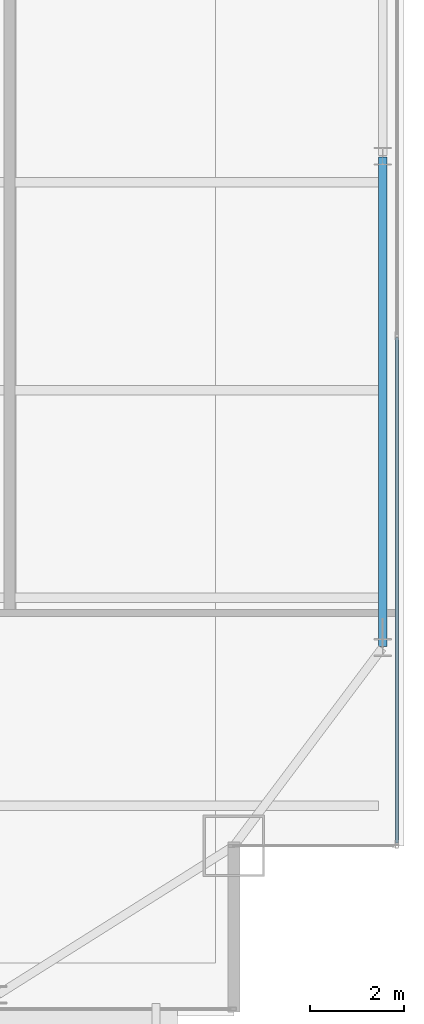
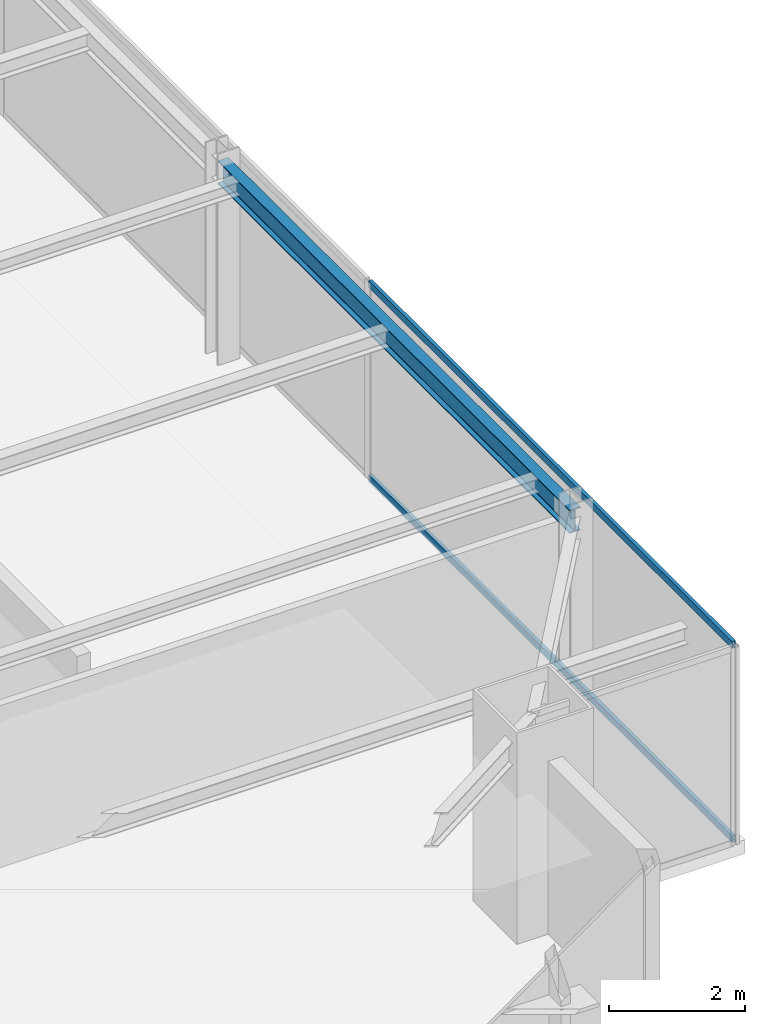
# One storey, part 16 of 29: 2 members, 1 beam, 1 element without a shape of its own.
"""IFC4 building model written with IfcOpenShell, lengths in metres."""

from ifc_helpers import new_model, si_unit, direction, frame, origin, origin_2d, place, context, subcontext, project, spatial, hollow_rectangle, i_section, extrude, source, transform, mapped, material, layer, layer_set, material_profile, profile_set, type_object, type_shapes, element, aggregate, save


model = new_model("IFC4")

# Units and contexts
model_context = context("Model", 3, precision=1e-05, world=origin(), true_north=direction((0.0, 1.0)))
body_context = subcontext(model_context, "Body", "Model", "MODEL_VIEW")
ifc_project = project(units=[si_unit("LENGTHUNIT", "METRE"), si_unit("AREAUNIT", "SQUARE_METRE"), si_unit("VOLUMEUNIT", "CUBIC_METRE"), si_unit("PLANEANGLEUNIT", "RADIAN"), si_unit("MASSUNIT", "GRAM", prefix="KILO")], contexts=[model_context])

# Site, building, storey
site_placement = place(None, origin())
site = spatial("IfcSite", under=ifc_project, at=site_placement, CompositionType="ELEMENT")
building_placement = place(site_placement, origin())
building = spatial("IfcBuilding", under=site, at=building_placement, Name="Varnel Quay Broadcast Tower", CompositionType="ELEMENT")
storey_placement = place(building_placement, frame((0.0, 0.0, 172.39990234375)))
storey = spatial("IfcBuildingStorey", under=building, at=storey_placement, Name="L42", CompositionType="ELEMENT", Elevation=172.39990234375)

# Beam
ifc_material_1 = material(Name="Structural Steel CSA G40.21 350W", Category="steel")
ifc_material_profile_1 = material_profile(ifc_material_1, i_section(OverallWidth=0.180908203125, OverallDepth=0.4169921875, WebThickness=0.010986328125, FlangeThickness=0.018310546875, FilletRadius=0.011962890625, at=origin_2d()), Name="W410X85")
ifc_profile_set_1 = profile_set([ifc_material_profile_1], Name="Structural Steel CSA G40.21 350W")
beam_type = type_object("IfcBeamType", Name="Beam_W410X85", PredefinedType="SPANDREL", material=ifc_profile_set_1)
shared_shape_1 = source(origin(), body_context, "Body", "SweptSolid", [
    extrude(i_section(OverallWidth=0.180908203125, OverallDepth=0.4169921875, WebThickness=0.010986328125, FlangeThickness=0.018310546875, FilletRadius=0.011962890625, at=origin_2d()), origin(), (0.0, 0.0, 1.0), 10.35986328125),
])
type_shapes(beam_type, [shared_shape_1])
beam_placement = place(storey_placement, frame((60.550048828125, 15.02001953125, 3.341552734375), z_axis=(0.0, 1.0, 0.0), x_axis=(-1.0, 0.0, 0.0)))
element("IfcBeam", 1, at=beam_placement, inside=storey, type_object=beam_type, Name="L42 East Spandrel TC-E1-TC-E2", PredefinedType="SPANDREL", context=body_context, shape_type="MappedRepresentation", body=[
    mapped(shared_shape_1, transform((0.0, 0.0, 0.0), x_axis=(1.0, 0.0, 0.0), y_axis=(0.0, 1.0, 0.0), z_axis=(0.0, 0.0, 1.0), scale=1.0)),
])

# Curtain wall, members
ifc_material_2 = material(Name="Anodised Bronze Aluminium 6063-T6", Category="aluminium")
ifc_layer = layer(ifc_material_2, 0.18994140625, Name="Anodised Bronze Aluminium 6063-T6")
ifc_layer_set = layer_set([ifc_layer], Name="Anodised Bronze Aluminium 6063-T6")
curtain_wall_type = type_object("IfcCurtainWallType", Name="CW_UpperTower", PredefinedType="NOTDEFINED", material=ifc_layer_set)
curtain_wall_placement = place(storey_placement, origin())
curtain_wall = element("IfcCurtainWall", 2, at=curtain_wall_placement, inside=storey, type_object=curtain_wall_type, Name="L42 East Unitised Curtain Wall", PredefinedType="NOTDEFINED")
ifc_material_profile_2 = material_profile(ifc_material_2, hollow_rectangle(XDim=0.06005859375, YDim=0.125, WallThickness=0.0029296875, at=origin_2d()), Name="ALU60X125X3")
ifc_profile_set_2 = profile_set([ifc_material_profile_2], Name="Anodised Bronze Aluminium 6063-T6")
member_type = type_object("IfcMemberType", Name="Tran_CWS-03", PredefinedType="USERDEFINED", material=ifc_profile_set_2)
shared_shape_2 = source(origin(), body_context, "Body", "SweptSolid", [
    extrude(hollow_rectangle(XDim=0.06005859375, YDim=0.125, WallThickness=0.0029296875, at=origin_2d()), origin(), (0.0, 0.0, 1.0), 10.702392578125),
])
type_shapes(member_type, [shared_shape_2])
member_1_placement = place(storey_placement, frame((60.85009765625, 10.864990234375, 0.030029296875), z_axis=(0.0, 1.0, 0.0), x_axis=(-1.0, 0.0, 0.0)))
member_1 = element("IfcMember", 3, at=member_1_placement, type_object=member_type, Name="CWS-03 transom 1.1", ObjectType="TRANSOM", PredefinedType="USERDEFINED", context=body_context, shape_type="MappedRepresentation", body=[
    mapped(shared_shape_2, transform((0.0, 0.0, 0.0), x_axis=(1.0, 0.0, 0.0), y_axis=(0.0, 1.0, 0.0), z_axis=(0.0, 0.0, 1.0), scale=1.0)),
])
member_2_placement = place(storey_placement, frame((60.85009765625, 10.864990234375, 3.52001953125), z_axis=(0.0, 1.0, 0.0), x_axis=(-1.0, 0.0, 0.0)))
member_2 = element("IfcMember", 4, at=member_2_placement, type_object=member_type, Name="CWS-03 transom 1.2", ObjectType="TRANSOM", PredefinedType="USERDEFINED", context=body_context, shape_type="MappedRepresentation", body=[
    mapped(shared_shape_2, transform((0.0, 0.0, 0.0), x_axis=(1.0, 0.0, 0.0), y_axis=(0.0, 1.0, 0.0), z_axis=(0.0, 0.0, 1.0), scale=1.0)),
])
aggregate(curtain_wall, [member_1, member_2])

save(model, "model.ifc")
